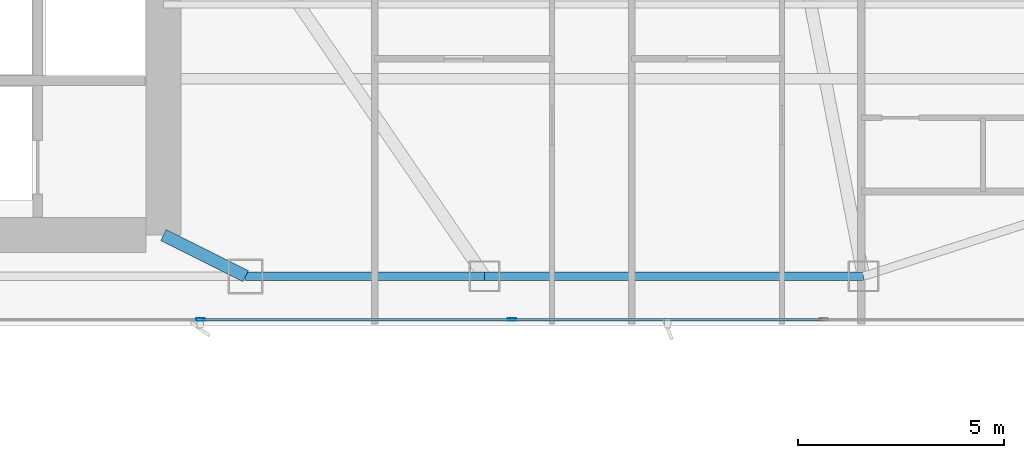
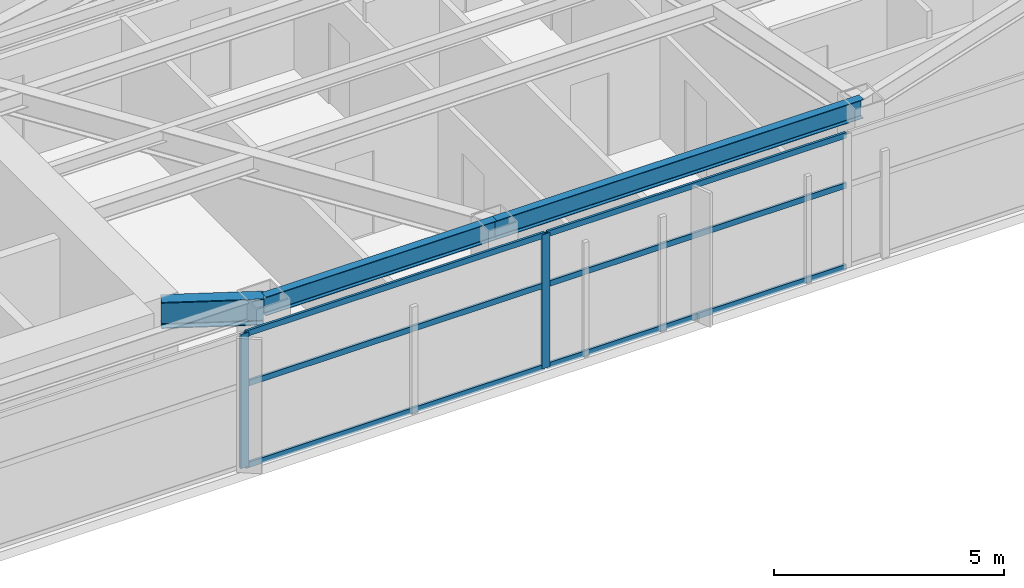
# One storey, part 12 of 29: 8 members, 3 beams, 1 element without a shape of its own.
"""IFC4 building model written with IfcOpenShell, lengths in metres."""

from ifc_helpers import new_model, si_unit, direction, frame, origin, origin_2d, place, context, subcontext, project, spatial, hollow_rectangle, i_section, extrude, material, layer, layer_set, material_profile, profile_set, type_object, element, aggregate, save


model = new_model("IFC4")

# Units and contexts
model_context = context("Model", 3, precision=1e-05, world=origin(), true_north=direction((0.0, 1.0)))
body_context = subcontext(model_context, "Body", "Model", "MODEL_VIEW")
ifc_project = project(units=[si_unit("LENGTHUNIT", "METRE"), si_unit("AREAUNIT", "SQUARE_METRE"), si_unit("VOLUMEUNIT", "CUBIC_METRE"), si_unit("PLANEANGLEUNIT", "RADIAN"), si_unit("MASSUNIT", "GRAM", prefix="KILO")], contexts=[model_context])

# Site, building, storey
site_placement = place(None, origin())
site = spatial("IfcSite", under=ifc_project, at=site_placement, CompositionType="ELEMENT")
building_placement = place(site_placement, origin())
building = spatial("IfcBuilding", under=site, at=building_placement, Name="Calvorn Quay Hotel", CompositionType="ELEMENT")
storey_placement = place(building_placement, frame((0.0, 0.0, 120.199951171875)))
storey = spatial("IfcBuildingStorey", under=building, at=storey_placement, Name="L29", CompositionType="ELEMENT", Elevation=120.199951171875)

# Beams
ifc_material_1 = material(Name="Steel Q390GJC", Category="steel")
ifc_material_profile_1 = material_profile(ifc_material_1, i_section(OverallWidth=0.300048828125, OverallDepth=0.699951171875, WebThickness=0.012939453125, FlangeThickness=0.02392578125, FilletRadius=0.02392578125, at=origin_2d()), Name="HN700x300x13x24")
ifc_profile_set_1 = profile_set([ifc_material_profile_1], Name="Steel Q390GJC")
beam_type_1 = type_object("IfcBeamType", Name="BM-GIRD-MAIN", PredefinedType="BEAM", material=ifc_profile_set_1)
beam_1_placement = place(storey_placement, frame((34.39990234375, 3.60009765625, 3.18994140625), z_axis=(-0.894427191, 0.4472135955, 0.0), x_axis=(-0.4472135955, -0.894427191, 0.0)))
element("IfcBeam", 1, at=beam_1_placement, inside=storey, type_object=beam_type_1, Name="Beam BG-L29-S3", PredefinedType="BEAM", context=body_context, shape_type="SweptSolid", body=[
    extrude(i_section(OverallWidth=0.300048828125, OverallDepth=0.699951171875, WebThickness=0.012939453125, FlangeThickness=0.02392578125, FilletRadius=0.02392578125, at=origin_2d()), origin(), (0.0, 0.0, 1.0), 2.236083984375),
])
ifc_material_2 = material(Name="Steel Q355B", Category="steel")
ifc_material_profile_2 = material_profile(ifc_material_2, i_section(OverallWidth=0.199951171875, OverallDepth=0.5, WebThickness=0.010009765625, FlangeThickness=0.01611328125, FilletRadius=0.01611328125, at=origin_2d()), Name="HN500x200x10x16")
ifc_profile_set_2 = profile_set([ifc_material_profile_2], Name="Steel Q355B")
beam_type_2 = type_object("IfcBeamType", Name="BM-SPANDREL-Z1", PredefinedType="SPANDREL", material=ifc_profile_set_2)
beam_2_placement = place(storey_placement, frame((34.39990234375, 3.60009765625, 3.2900390625), z_axis=(1.0, 0.0, 0.0), x_axis=(0.0, 1.0, 0.0)))
element("IfcBeam", 2, at=beam_2_placement, inside=storey, type_object=beam_type_2, Name="Beam BSP-L29-S4", PredefinedType="SPANDREL", context=body_context, shape_type="SweptSolid", body=[
    extrude(i_section(OverallWidth=0.199951171875, OverallDepth=0.5, WebThickness=0.010009765625, FlangeThickness=0.01611328125, FilletRadius=0.01611328125, at=origin_2d()), origin(), (0.0, 0.0, 1.0), 5.800048828125),
])
beam_3_placement = place(storey_placement, frame((40.199951171875, 3.60009765625, 3.2900390625), z_axis=(1.0, 0.0, 0.0), x_axis=(0.0, 1.0, 0.0)))
element("IfcBeam", 3, at=beam_3_placement, inside=storey, type_object=beam_type_2, Name="Beam BSP-L29-S5", PredefinedType="SPANDREL", context=body_context, shape_type="SweptSolid", body=[
    extrude(i_section(OverallWidth=0.199951171875, OverallDepth=0.5, WebThickness=0.010009765625, FlangeThickness=0.01611328125, FilletRadius=0.01611328125, at=origin_2d()), origin(), (0.0, 0.0, 1.0), 9.199951171875),
])

# Curtain wall, members
ifc_material_3 = material(Name="Pale Anodised Aluminium and Low-E Glass", Category="aluminium")
ifc_layer = layer(ifc_material_3, 0.219970703125)
ifc_layer_set = layer_set([ifc_layer], Name="CW-SYS-Z2")
curtain_wall_type = type_object("IfcCurtainWallType", Name="CW-SYS-Z2", PredefinedType="NOTDEFINED", material=ifc_layer_set)
curtain_wall_placement = place(storey_placement, origin())
curtain_wall = element("IfcCurtainWall", 4, at=curtain_wall_placement, inside=storey, type_object=curtain_wall_type, Name="Tower South Waterfront Curtain Wall (L29)", PredefinedType="NOTDEFINED")
ifc_material_4 = material(Name="Pale Anodised Aluminium 6063-T6", Category="aluminium")
ifc_material_profile_3 = material_profile(ifc_material_4, hollow_rectangle(XDim=0.070068359375, YDim=0.199951171875, WallThickness=0.00390625, at=origin_2d()), Name="ALU-M200x70x4")
ifc_profile_set_3 = profile_set([ifc_material_profile_3], Name="Pale Anodised Aluminium 6063-T6")
member_type_1 = type_object("IfcMemberType", Name="CW-SYS-Z2-MUL", PredefinedType="MULLION", material=ifc_profile_set_3)
member_1_placement = place(storey_placement, frame((33.300048828125, 2.550048828125, 0.0), z_axis=(0.0, 0.0, 1.0), x_axis=(0.0, 1.0, 0.0)))
member_1 = element("IfcMember", 5, at=member_1_placement, type_object=member_type_1, Name="CW-L29-S mullion 4", PredefinedType="MULLION", context=body_context, shape_type="SweptSolid", body=[
    extrude(hollow_rectangle(XDim=0.070068359375, YDim=0.199951171875, WallThickness=0.00390625, at=origin_2d()), origin(), (0.0, 0.0, 1.0), 3.56005859375),
])
member_2_placement = place(storey_placement, frame((40.86669921875, 2.550048828125, 0.0), z_axis=(0.0, 0.0, 1.0), x_axis=(0.0, 1.0, 0.0)))
member_2 = element("IfcMember", 6, at=member_2_placement, type_object=member_type_1, Name="CW-L29-S mullion 5", PredefinedType="MULLION", context=body_context, shape_type="SweptSolid", body=[
    extrude(hollow_rectangle(XDim=0.070068359375, YDim=0.199951171875, WallThickness=0.00390625, at=origin_2d()), origin(), (0.0, 0.0, 1.0), 3.56005859375),
])
ifc_material_5 = material(Name="Pale Anodised Aluminium 6063-T6", Category="aluminium")
ifc_material_profile_4 = material_profile(ifc_material_5, hollow_rectangle(XDim=0.06005859375, YDim=0.14990234375, WallThickness=0.00341796875, at=origin_2d()), Name="ALU-T150x60x3.5")
ifc_profile_set_4 = profile_set([ifc_material_profile_4], Name="Pale Anodised Aluminium 6063-T6")
member_type_2 = type_object("IfcMemberType", Name="CW-SYS-Z2-TRN", PredefinedType="USERDEFINED", material=ifc_profile_set_4)
member_3_placement = place(storey_placement, frame((33.330078125, 2.550048828125, 0.030029296875), z_axis=(1.0, 0.0, 0.0), x_axis=(0.0, 1.0, 0.0)))
member_3 = element("IfcMember", 7, at=member_3_placement, type_object=member_type_2, Name="CW-L29-S transom 4.1", ObjectType="TRANSOM", PredefinedType="USERDEFINED", context=body_context, shape_type="SweptSolid", body=[
    extrude(hollow_rectangle(XDim=0.06005859375, YDim=0.14990234375, WallThickness=0.00341796875, at=origin_2d()), origin(), (0.0, 0.0, 1.0), 7.506591796875),
])
member_4_placement = place(storey_placement, frame((33.330078125, 2.550048828125, 2.199951171875), z_axis=(1.0, 0.0, 0.0), x_axis=(0.0, 1.0, 0.0)))
member_4 = element("IfcMember", 8, at=member_4_placement, type_object=member_type_2, Name="CW-L29-S transom 4.2", ObjectType="TRANSOM", PredefinedType="USERDEFINED", context=body_context, shape_type="SweptSolid", body=[
    extrude(hollow_rectangle(XDim=0.06005859375, YDim=0.14990234375, WallThickness=0.00341796875, at=origin_2d()), origin(), (0.0, 0.0, 1.0), 7.506591796875),
])
member_5_placement = place(storey_placement, frame((33.330078125, 2.550048828125, 3.530029296875), z_axis=(1.0, 0.0, 0.0), x_axis=(0.0, 1.0, 0.0)))
member_5 = element("IfcMember", 9, at=member_5_placement, type_object=member_type_2, Name="CW-L29-S transom 4.3", ObjectType="TRANSOM", PredefinedType="USERDEFINED", context=body_context, shape_type="SweptSolid", body=[
    extrude(hollow_rectangle(XDim=0.06005859375, YDim=0.14990234375, WallThickness=0.00341796875, at=origin_2d()), origin(), (0.0, 0.0, 1.0), 7.506591796875),
])
member_6_placement = place(storey_placement, frame((40.896728515625, 2.550048828125, 0.030029296875), z_axis=(1.0, 0.0, 0.0), x_axis=(0.0, 1.0, 0.0)))
member_6 = element("IfcMember", 10, at=member_6_placement, type_object=member_type_2, Name="CW-L29-S transom 5.1", ObjectType="TRANSOM", PredefinedType="USERDEFINED", context=body_context, shape_type="SweptSolid", body=[
    extrude(hollow_rectangle(XDim=0.06005859375, YDim=0.14990234375, WallThickness=0.00341796875, at=origin_2d()), origin(), (0.0, 0.0, 1.0), 7.506591796875),
])
member_7_placement = place(storey_placement, frame((40.896728515625, 2.550048828125, 2.199951171875), z_axis=(1.0, 0.0, 0.0), x_axis=(0.0, 1.0, 0.0)))
member_7 = element("IfcMember", 11, at=member_7_placement, type_object=member_type_2, Name="CW-L29-S transom 5.2", ObjectType="TRANSOM", PredefinedType="USERDEFINED", context=body_context, shape_type="SweptSolid", body=[
    extrude(hollow_rectangle(XDim=0.06005859375, YDim=0.14990234375, WallThickness=0.00341796875, at=origin_2d()), origin(), (0.0, 0.0, 1.0), 7.506591796875),
])
member_8_placement = place(storey_placement, frame((40.896728515625, 2.550048828125, 3.530029296875), z_axis=(1.0, 0.0, 0.0), x_axis=(0.0, 1.0, 0.0)))
member_8 = element("IfcMember", 12, at=member_8_placement, type_object=member_type_2, Name="CW-L29-S transom 5.3", ObjectType="TRANSOM", PredefinedType="USERDEFINED", context=body_context, shape_type="SweptSolid", body=[
    extrude(hollow_rectangle(XDim=0.06005859375, YDim=0.14990234375, WallThickness=0.00341796875, at=origin_2d()), origin(), (0.0, 0.0, 1.0), 7.506591796875),
])
aggregate(curtain_wall, [member_1, member_2, member_3, member_4, member_5, member_6, member_7, member_8])

save(model, "model.ifc")
